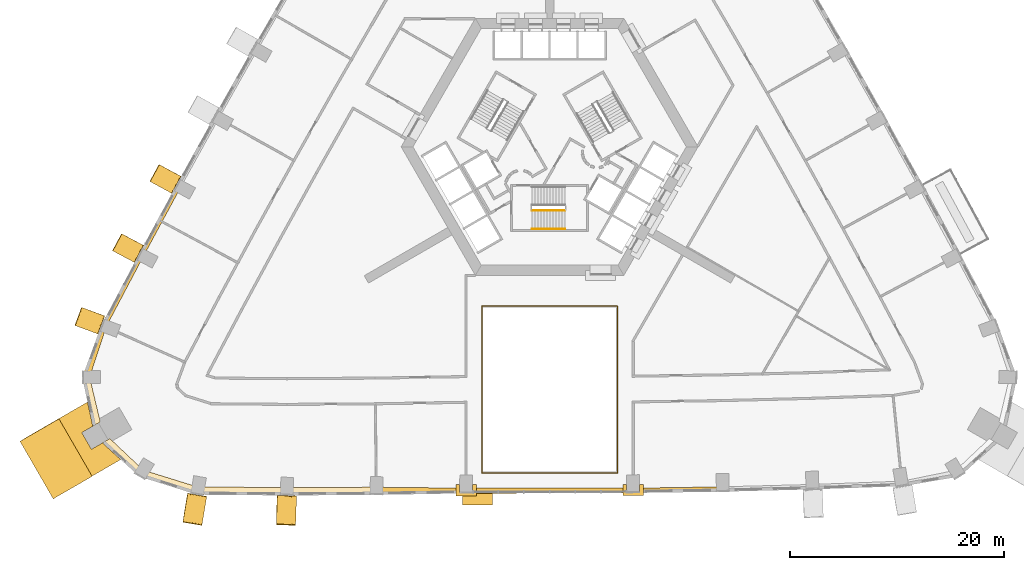
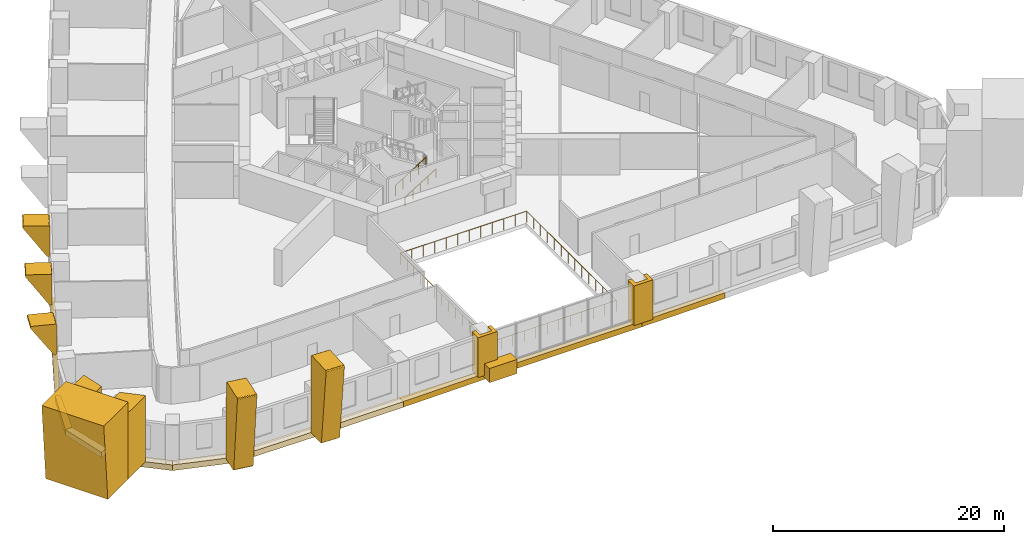
# One storey, part 14 of 17: 21 coverings, 3 railings.
"""IFC4 building model written with IfcOpenShell, lengths in metres."""

from ifc_helpers import new_model, si_unit, direction, frame, origin, origin_2d, place, context, subcontext, project, spatial, polyline, circle, outline, extrude, material, type_object, element, save


model = new_model("IFC4")

# Units and contexts
model_context = context("Model", 3, precision=1e-05, world=origin(), true_north=direction((0.0, 1.0)))
body_context = subcontext(model_context, "Body", "Model", "MODEL_VIEW")
ifc_project = project(units=[si_unit("LENGTHUNIT", "METRE"), si_unit("AREAUNIT", "SQUARE_METRE"), si_unit("VOLUMEUNIT", "CUBIC_METRE"), si_unit("PLANEANGLEUNIT", "RADIAN"), si_unit("MASSUNIT", "GRAM", prefix="KILO")], contexts=[model_context])

# Site, building, storey
site_placement = place(None, origin())
site = spatial("IfcSite", under=ifc_project, at=site_placement, CompositionType="ELEMENT")
building_placement = place(site_placement, origin())
building = spatial("IfcBuilding", under=site, at=building_placement, Name="Entoto Arch Interchange Tower", CompositionType="ELEMENT")
storey_placement = place(building_placement, frame((0.0, 0.0, 72.800048828125)))
storey = spatial("IfcBuildingStorey", under=building, at=storey_placement, Name="L15", CompositionType="ELEMENT", Elevation=72.800048828125)

# Railing
ifc_material_1 = material(Name="Stainless steel 1.4301", Category="steel")
railing_type_1 = type_object("IfcRailingType", Name="ATRIUM GUARD 1200 STEEL AND GLASS", PredefinedType="GUARDRAIL", material=ifc_material_1)
railing_1_placement = place(storey_placement, frame((6.320068359375, -27.931884765625, 0.0)))
element("IfcRailing", 1, at=railing_1_placement, inside=storey, type_object=railing_type_1, Name="Atrium guard L15", PredefinedType="GUARDRAIL", context=body_context, shape_type="SweptSolid", body=[
    extrude(circle(Radius=0.02392578125, at=origin_2d()), frame((0.0, 0.0, 1.17578125), z_axis=(-1.0, 0.0, 0.0), x_axis=(0.0, -1.0, 0.0)), (0.0, 0.0, 1.0), 12.64013671875),
    extrude(circle(Radius=0.02392578125, at=origin_2d()), frame((-12.64013671875, 0.0, 1.17578125), z_axis=(0.0, 1.0, 0.0), x_axis=(-1.0, 0.0, 0.0)), (0.0, 0.0, 1.0), 15.552001953125),
    extrude(circle(Radius=0.02392578125, at=origin_2d()), frame((-12.64013671875, 15.552001953125, 1.17578125), z_axis=(1.0, 0.0, 0.0), x_axis=(0.0, 1.0, 0.0)), (0.0, 0.0, 1.0), 12.64013671875),
    extrude(circle(Radius=0.02392578125, at=origin_2d()), frame((0.0, 15.552001953125, 1.17578125), z_axis=(0.0, -1.0, 0.0), x_axis=(1.0, 0.0, 0.0)), (0.0, 0.0, 1.0), 15.552001953125),
    extrude(circle(Radius=0.02099609375, at=origin_2d()), origin(), (0.0, 0.0, 1.0), 1.15185546875),
    extrude(circle(Radius=0.02099609375, at=origin_2d()), frame((-1.149169921875, 0.0, 0.0)), (0.0, 0.0, 1.0), 1.15185546875),
    extrude(circle(Radius=0.02099609375, at=origin_2d()), frame((-2.298095703125, 0.0, 0.0)), (0.0, 0.0, 1.0), 1.15185546875),
    extrude(circle(Radius=0.02099609375, at=origin_2d()), frame((-3.447265625, 0.0, 0.0)), (0.0, 0.0, 1.0), 1.15185546875),
    extrude(circle(Radius=0.02099609375, at=origin_2d()), frame((-4.596435546875, 0.0, 0.0)), (0.0, 0.0, 1.0), 1.15185546875),
    extrude(circle(Radius=0.02099609375, at=origin_2d()), frame((-5.74560546875, 0.0, 0.0)), (0.0, 0.0, 1.0), 1.15185546875),
    extrude(circle(Radius=0.02099609375, at=origin_2d()), frame((-6.89453125, 0.0, 0.0)), (0.0, 0.0, 1.0), 1.15185546875),
    extrude(circle(Radius=0.02099609375, at=origin_2d()), frame((-8.043701171875, 0.0, 0.0)), (0.0, 0.0, 1.0), 1.15185546875),
    extrude(circle(Radius=0.02099609375, at=origin_2d()), frame((-9.19287109375, 0.0, 0.0)), (0.0, 0.0, 1.0), 1.15185546875),
    extrude(circle(Radius=0.02099609375, at=origin_2d()), frame((-10.342041015625, 0.0, 0.0)), (0.0, 0.0, 1.0), 1.15185546875),
    extrude(circle(Radius=0.02099609375, at=origin_2d()), frame((-11.490966796875, 0.0, 0.0)), (0.0, 0.0, 1.0), 1.15185546875),
    extrude(circle(Radius=0.02099609375, at=origin_2d()), frame((-12.64013671875, 0.0, 0.0)), (0.0, 0.0, 1.0), 1.15185546875),
    extrude(circle(Radius=0.02099609375, at=origin_2d()), frame((-12.64013671875, 1.1962890625, 0.0)), (0.0, 0.0, 1.0), 1.15185546875),
    extrude(circle(Radius=0.02099609375, at=origin_2d()), frame((-12.64013671875, 2.392578125, 0.0)), (0.0, 0.0, 1.0), 1.15185546875),
    extrude(circle(Radius=0.02099609375, at=origin_2d()), frame((-12.64013671875, 3.5888671875, 0.0)), (0.0, 0.0, 1.0), 1.15185546875),
    extrude(circle(Radius=0.02099609375, at=origin_2d()), frame((-12.64013671875, 4.78515625, 0.0)), (0.0, 0.0, 1.0), 1.15185546875),
    extrude(circle(Radius=0.02099609375, at=origin_2d()), frame((-12.64013671875, 5.9814453125, 0.0)), (0.0, 0.0, 1.0), 1.15185546875),
    extrude(circle(Radius=0.02099609375, at=origin_2d()), frame((-12.64013671875, 7.177734375, 0.0)), (0.0, 0.0, 1.0), 1.15185546875),
    extrude(circle(Radius=0.02099609375, at=origin_2d()), frame((-12.64013671875, 8.374267578125, 0.0)), (0.0, 0.0, 1.0), 1.15185546875),
    extrude(circle(Radius=0.02099609375, at=origin_2d()), frame((-12.64013671875, 9.570556640625, 0.0)), (0.0, 0.0, 1.0), 1.15185546875),
    extrude(circle(Radius=0.02099609375, at=origin_2d()), frame((-12.64013671875, 10.766845703125, 0.0)), (0.0, 0.0, 1.0), 1.15185546875),
    extrude(circle(Radius=0.02099609375, at=origin_2d()), frame((-12.64013671875, 11.963134765625, 0.0)), (0.0, 0.0, 1.0), 1.15185546875),
    extrude(circle(Radius=0.02099609375, at=origin_2d()), frame((-12.64013671875, 13.159423828125, 0.0)), (0.0, 0.0, 1.0), 1.15185546875),
    extrude(circle(Radius=0.02099609375, at=origin_2d()), frame((-12.64013671875, 14.355712890625, 0.0)), (0.0, 0.0, 1.0), 1.15185546875),
    extrude(circle(Radius=0.02099609375, at=origin_2d()), frame((-12.64013671875, 15.552001953125, 0.0)), (0.0, 0.0, 1.0), 1.15185546875),
    extrude(circle(Radius=0.02099609375, at=origin_2d()), frame((-11.490966796875, 15.552001953125, 0.0)), (0.0, 0.0, 1.0), 1.15185546875),
    extrude(circle(Radius=0.02099609375, at=origin_2d()), frame((-10.342041015625, 15.552001953125, 0.0)), (0.0, 0.0, 1.0), 1.15185546875),
    extrude(circle(Radius=0.02099609375, at=origin_2d()), frame((-9.19287109375, 15.552001953125, 0.0)), (0.0, 0.0, 1.0), 1.15185546875),
    extrude(circle(Radius=0.02099609375, at=origin_2d()), frame((-8.043701171875, 15.552001953125, 0.0)), (0.0, 0.0, 1.0), 1.15185546875),
    extrude(circle(Radius=0.02099609375, at=origin_2d()), frame((-6.89453125, 15.552001953125, 0.0)), (0.0, 0.0, 1.0), 1.15185546875),
    extrude(circle(Radius=0.02099609375, at=origin_2d()), frame((-5.74560546875, 15.552001953125, 0.0)), (0.0, 0.0, 1.0), 1.15185546875),
    extrude(circle(Radius=0.02099609375, at=origin_2d()), frame((-4.596435546875, 15.552001953125, 0.0)), (0.0, 0.0, 1.0), 1.15185546875),
    extrude(circle(Radius=0.02099609375, at=origin_2d()), frame((-3.447265625, 15.552001953125, 0.0)), (0.0, 0.0, 1.0), 1.15185546875),
    extrude(circle(Radius=0.02099609375, at=origin_2d()), frame((-2.298095703125, 15.552001953125, 0.0)), (0.0, 0.0, 1.0), 1.15185546875),
    extrude(circle(Radius=0.02099609375, at=origin_2d()), frame((-1.149169921875, 15.552001953125, 0.0)), (0.0, 0.0, 1.0), 1.15185546875),
    extrude(circle(Radius=0.02099609375, at=origin_2d()), frame((0.0, 15.552001953125, 0.0)), (0.0, 0.0, 1.0), 1.15185546875),
    extrude(circle(Radius=0.02099609375, at=origin_2d()), frame((0.0, 14.355712890625, 0.0)), (0.0, 0.0, 1.0), 1.15185546875),
    extrude(circle(Radius=0.02099609375, at=origin_2d()), frame((0.0, 13.159423828125, 0.0)), (0.0, 0.0, 1.0), 1.15185546875),
    extrude(circle(Radius=0.02099609375, at=origin_2d()), frame((0.0, 11.963134765625, 0.0)), (0.0, 0.0, 1.0), 1.15185546875),
    extrude(circle(Radius=0.02099609375, at=origin_2d()), frame((0.0, 10.766845703125, 0.0)), (0.0, 0.0, 1.0), 1.15185546875),
    extrude(circle(Radius=0.02099609375, at=origin_2d()), frame((0.0, 9.570556640625, 0.0)), (0.0, 0.0, 1.0), 1.15185546875),
    extrude(circle(Radius=0.02099609375, at=origin_2d()), frame((0.0, 8.374267578125, 0.0)), (0.0, 0.0, 1.0), 1.15185546875),
    extrude(circle(Radius=0.02099609375, at=origin_2d()), frame((0.0, 7.177734375, 0.0)), (0.0, 0.0, 1.0), 1.15185546875),
    extrude(circle(Radius=0.02099609375, at=origin_2d()), frame((0.0, 5.9814453125, 0.0)), (0.0, 0.0, 1.0), 1.15185546875),
    extrude(circle(Radius=0.02099609375, at=origin_2d()), frame((0.0, 4.78515625, 0.0)), (0.0, 0.0, 1.0), 1.15185546875),
    extrude(circle(Radius=0.02099609375, at=origin_2d()), frame((0.0, 3.5888671875, 0.0)), (0.0, 0.0, 1.0), 1.15185546875),
    extrude(circle(Radius=0.02099609375, at=origin_2d()), frame((0.0, 2.392578125, 0.0)), (0.0, 0.0, 1.0), 1.15185546875),
    extrude(circle(Radius=0.02099609375, at=origin_2d()), frame((0.0, 1.1962890625, 0.0)), (0.0, 0.0, 1.0), 1.15185546875),
])

# Coverings
ifc_material_2 = material(Name="Board-marked precast concrete C50/60", Category="concrete")
covering_type_1 = type_object("IfcCoveringType", Name="PRECAST FRAME COURSE", PredefinedType="CLADDING", material=ifc_material_2)
covering_1_placement = place(storey_placement, frame((0.0, 0.0, -0.400146484375)))
element("IfcCovering", 2, at=covering_1_placement, inside=storey, type_object=covering_type_1, Name="Corner pilaster SW L15-L16", PredefinedType="CLADDING", context=body_context, shape_type="SweptSolid", body=[
    extrude(outline(polyline([(-42.7109375, -28.239013671875), (-45.81103515625, -22.868896484375), (-43.132080078125, -21.322998046875), (-42.64208984375, -23.580078125), (-43.6708984375, -24.175048828125), (-42.77099609375, -25.73291015625), (-41.741943359375, -25.138916015625), (-40.031005859375, -26.69189453125), (-42.7109375, -28.239013671875)])), origin(), (0.0, 0.0, 1.0), 7.0),
])
covering_2_placement = place(storey_placement, frame((-45.81103515625, -22.868896484375, -0.400146484375), z_axis=(-0.500064315457, 0.865982925779, 0.003041819548), x_axis=(-0.865986931105, -0.500066630715, 6.749e-07)))
element("IfcCovering", 3, at=covering_2_placement, inside=storey, type_object=covering_type_1, Name="Corner rib SW L15-L16", PredefinedType="CLADDING", context=body_context, shape_type="SweptSolid", body=[
    extrude(outline(polyline([(0.0, 0.0), (3.4542669690355945, 8.673617379884035e-19), (4.2003847108791525, 8.200230414747715), (-8.998423250624878e-05, 8.20023558095585), (0.0, 0.0)])), origin(), (0.0, 0.0, -1.0), 6.199951171875),
])
covering_3_placement = place(storey_placement, frame((-33.822998046875, -29.967041015625, -0.400146484375), z_axis=(-0.986017295839, 0.166616616376, 0.002965713095), x_axis=(0.16596463094, 0.98024365443, 0.107601669256)))
element("IfcCovering", 4, at=covering_3_placement, inside=storey, type_object=covering_type_1, Name="Fold rib S01 L15-L16", PredefinedType="CLADDING", context=body_context, shape_type="SweptSolid", body=[
    extrude(outline(polyline([(0.0, 0.0), (0.02946856705872473, 0.0), (0.058681587304177704, -0.004697474440679215), (0.08542598236948351, -0.016047686520283943), (0.11049760686181372, -0.03248619339203701), (0.13132476053195433, -0.05331770746523266), (0.14807460972412528, -0.07753361193537348), (0.15915519836776604, -0.10457323096423116), (0.165315203499198, -0.13313021673370315), (1.0153780831972823, -7.987199437447457), (1.0139616648822212, -8.031554651425973), (1.0059057561135025, -8.059686164376735), (0.9914810920168481, -8.085312507788442), (0.9625513542163876, -8.118649653848959), (0.9251345991372558, -8.141851972059033), (0.8824964605275015, -8.152606384225749), (-1.5657070592915134, -8.417574941658048), (-1.6097637745955566, -8.415222361201941), (-1.6512786401248554, -8.400560034057198), (-1.6763667409882297, -8.385103417313477), (-1.6970318198234677, -8.364257234192817), (-1.720493063567304, -8.326524596203072), (-1.7285818558562365, -8.298422182028), (-1.7318130583265605, -8.26856736549824), (-1.7390194457362096, -0.3230300763934709), (-1.736000561155378, -0.2934809096370301), (-1.7210245076384905, -0.25281431397545473), (-1.695375535519352, -0.21787002011946482), (-1.6605225013307199, -0.19076794501031696), (-1.619261950935275, -0.17623407059734067), (0.0, 0.0)])), origin(), (0.0, 0.0, -1.0), 1.800048828125),
])
covering_4_placement = place(storey_placement, frame((-25.445068359375, -30.162109375, -0.400146484375), z_axis=(-0.999425603968, 0.03375207, 0.003043009138), x_axis=(0.033884960991, 0.993889897215, 0.105046092892)))
element("IfcCovering", 5, at=covering_4_placement, inside=storey, type_object=covering_type_1, Name="Fold rib S02 L15-L16", PredefinedType="CLADDING", context=body_context, shape_type="SweptSolid", body=[
    extrude(outline(polyline([(0.0, 0.0), (0.030212303810803136, 0.0), (0.058970690772785245, -0.004818237843212466), (0.08646295571290828, -0.016154107519285442), (0.11033483702124235, -0.03278203916189386), (0.13146261892100117, -0.05362812472199807), (0.14825473315075316, -0.07787565688444474), (0.1592445298144917, -0.10494919039801633), (0.1652081928566686, -0.13353317347954105), (0.9949021968591598, -7.989781533114448), (0.9934522577210283, -8.034124918706455), (0.985346674491629, -8.062229519040093), (0.9708745612832212, -8.087818768340997), (0.942208924819981, -8.121043289316564), (0.9045913619077651, -8.144163832447337), (0.8622505661732011, -8.154775253677954), (-1.5983528653773673, -8.414692810083933), (-1.6427369995348364, -8.413242272357163), (-1.6709690459087567, -8.404194127230337), (-1.6964412754151017, -8.390684403324299), (-1.7298154842983684, -8.361064685361935), (-1.7529480456306732, -8.323248535239458), (-1.7608603446417939, -8.295113101489763), (-1.7639122208757227, -8.266221240867965), (-1.7875714584276345, -0.32458732191255246), (-1.7847741150262946, -0.2953224949549357), (-1.7700203570691564, -0.25350342791533975), (-1.7435341707438123, -0.21854235756911478), (-1.7092643769589773, -0.19160228331835572), (-1.6673339175247732, -0.17710624217220378), (0.0, 0.0)])), origin(), (0.0, 0.0, -1.0), 1.800048828125),
])
covering_5_placement = place(storey_placement, frame((-34.64111328125, -0.1259765625, 4.596923828125), z_axis=(0.478084182793, 0.878309533425, 0.002806716545), x_axis=(0.597536888093, -0.322907743702, -0.733948401746)))
element("IfcCovering", 6, at=covering_5_placement, inside=storey, type_object=covering_type_1, Name="Fold rib NW08 L15-L16", PredefinedType="CLADDING", context=body_context, shape_type="SweptSolid", body=[
    extrude(outline(polyline([(0.0, 0.0), (0.04357652076310624, -3.469446951953614e-18), (0.0722948687189037, -0.007669880387644289), (0.09901223979547072, -0.020005851700767442), (0.13253493295170665, -0.04760134628353657), (0.15687607476083837, -0.0843296130225779), (0.16950556805165762, -0.12565692128665687), (0.17066670897350278, -0.16968649117418078), (0.15732470313625185, -0.2113420275928248), (0.13445668089602153, -0.24845855303923128), (-2.054802755586746, -2.2745321342299696), (-2.0915035589444004, -2.2995750153182875), (-2.132718589562193, -2.312548877262704), (-2.16269083527694, -2.3139499675613497), (-2.2058305564903327, -2.3057941734837715), (-2.244670207378934, -2.2857484657725022), (-2.267102706802674, -2.26618168531407), (-3.6566144054435177, -0.7646642901767624), (-3.6809555472526494, -0.7279360234377212), (-3.6939893860392266, -0.6858142547973465), (-3.696239554877357, -0.6567830294253449), (-3.6925247157463343, -0.6270099271291998), (-3.681933328274904, -0.5989169720263012), (-3.666988289588339, -0.5737256558309887), (-3.6465766219987072, -0.5515710310817905), (-3.6233097875870275, -0.5339414768411803), (-3.5969528974216805, -0.5214443105688678), (-3.5676160332832034, -0.5146843912700203), (0.0, 0.0)])), origin(), (0.0, 0.0, -1.0), 1.800048828125),
])
covering_6_placement = place(storey_placement, frame((-38.139892578125, -6.569091796875, 4.597900390625), z_axis=(0.469182979974, 0.883096047564, 0.002949928697), x_axis=(0.598482106004, -0.31550963852, -0.736391768554)))
element("IfcCovering", 7, at=covering_6_placement, inside=storey, type_object=covering_type_1, Name="Fold rib NW09 L15-L16", PredefinedType="CLADDING", context=body_context, shape_type="SweptSolid", body=[
    extrude(outline(polyline([(0.0, 0.0), (0.04343029158023182, 0.0), (0.08503626246178492, -0.012811012124700663), (0.12151747862533785, -0.03772307259675556), (0.14108806311702027, -0.059021617176326716), (0.15603384243834334, -0.08431300195042324), (0.16878493819769252, -0.1259762268533769), (0.16906601963959408, -0.17066944809900275), (0.15629403492946972, -0.21161783459632189), (0.132260469863429, -0.24896880404535274), (-2.062525622232638, -2.2661738946941106), (-2.099394693078494, -2.2909979548556807), (-2.1405765409670794, -2.303909943020732), (-2.1704080712853386, -2.305360110031937), (-2.213285215533405, -2.297303606461215), (-2.2527776394477077, -2.276329161812536), (-2.2746854048454463, -2.2571778672700473), (-3.6533505469690044, -0.756560947376097), (-3.6772469428691776, -0.7200867713197496), (-3.690710825544918, -0.6772850902381242), (-3.6928544963341423, -0.6482469208644055), (-3.68837142498132, -0.6192049467664535), (-3.6776805728368362, -0.5911479632558523), (-3.6630597257496005, -0.5655647712176515), (-3.643219585266852, -0.5442169551798366), (-3.6189677490859857, -0.5262270401398188), (-3.5924182555973054, -0.5139855969094067), (-3.563788050043945, -0.5065391509797346), (0.0, 0.0)])), origin(), (0.0, 0.0, -1.0), 1.800048828125),
])
covering_7_placement = place(storey_placement, frame((-41.777099609375, -13.18603515625, 4.60205078125), z_axis=(0.348231434465, 0.937403628939, 0.00305032811), x_axis=(0.626963571007, -0.230486042945, -0.744172604063)))
element("IfcCovering", 8, at=covering_7_placement, inside=storey, type_object=covering_type_1, Name="Fold rib NW10 L15-L16", PredefinedType="CLADDING", context=body_context, shape_type="SweptSolid", body=[
    extrude(outline(polyline([(0.0, 0.0), (0.044618704242944285, 0.0), (0.0860662212027862, -0.01328536228639203), (0.12188196654031427, -0.038198342932209355), (0.14961973980301121, -0.07239207697986444), (0.16153938627284253, -0.09882598996456692), (0.16808440641736921, -0.12731644242455897), (0.1686609810606007, -0.17145367471733602), (0.1555208816694894, -0.21346639976439444), (0.13122245662744464, -0.24925684908798196), (-2.0854254178940037, -2.2394896231214467), (-2.122405165538064, -2.2640808936837584), (-2.1642081616264948, -2.2759902702463743), (-2.193479842883037, -2.277732044529086), (-2.236341260564915, -2.269090045826929), (-2.2753472051031425, -2.247928038372726), (-2.2976189292924376, -2.2278690562730854), (-3.6480127247046603, -0.7234440443284913), (-3.6718917586477673, -0.6862436253959134), (-3.684824111433944, -0.644788111585129), (-3.68622958302768, -0.6147158162984199), (-3.681497971805503, -0.5856281949503059), (-3.671477584620831, -0.5580495641793446), (-3.6556400788879237, -0.5321997890335337), (-3.635469452143866, -0.5111770858312821), (-3.6117873117856236, -0.4940670278280199), (-3.584566002293206, -0.48126656917208455), (-3.555887960604484, -0.4741089138680592), (0.0, 0.0)])), origin(), (0.0, 0.0, -1.0), 1.800048828125),
])
covering_8_placement = place(storey_placement, frame((0.0, 0.0, -0.400146484375)))
element("IfcCovering", 9, at=covering_8_placement, inside=storey, type_object=covering_type_1, Name="Gate pier L15", PredefinedType="CLADDING", context=body_context, shape_type="SweptSolid", body=[
    extrude(outline(polyline([(-8.742919921875, -29.0009765625), (-8.39306640625, -29.0009765625), (-8.39306640625, -29.74609375), (-7.193115234375, -29.74609375), (-7.193115234375, -29.0009765625), (-6.843017578125, -29.0009765625), (-6.843017578125, -30.095947265625), (-8.742919921875, -30.095947265625), (-8.742919921875, -29.0009765625)])), origin(), (0.0, 0.0, 1.0), 4.2001953125),
])
covering_9_placement = place(storey_placement, frame((0.0, 0.0, -0.400146484375)))
element("IfcCovering", 10, at=covering_9_placement, inside=storey, type_object=covering_type_1, Name="Gate pier L15", PredefinedType="CLADDING", context=body_context, shape_type="SweptSolid", body=[
    extrude(outline(polyline([(6.843017578125, -29.0009765625), (7.193115234375, -29.0009765625), (7.193115234375, -29.7119140625), (8.39306640625, -29.7119140625), (8.39306640625, -29.0009765625), (8.742919921875, -29.0009765625), (8.742919921875, -30.06201171875), (6.843017578125, -30.06201171875), (6.843017578125, -29.0009765625)])), origin(), (0.0, 0.0, 1.0), 4.2001953125),
])
covering_10_placement = place(storey_placement, frame((0.0, 0.0, -0.650146484375)))
element("IfcCovering", 11, at=covering_10_placement, inside=storey, type_object=covering_type_1, Name="Fold crease ribbon L15", PredefinedType="CLADDING", context=body_context, shape_type="SweptSolid", body=[
    extrude(outline(polyline([(-7.0869140625, -30.944091796875), (-7.10107421875, -30.946044921875), (-7.208984375, -30.950927734375), (-7.794921875, -30.946044921875), (-8.113037109375, -30.950927734375), (-8.113037109375, -29.85107421875), (-7.800048828125, -29.845947265625), (-7.199951171875, -29.85107421875), (-7.199951171875, -29.844970703125), (-5.343017578125, -29.841064453125), (-5.343017578125, -30.94091796875), (-7.0869140625, -30.944091796875)])), origin(), (0.0, 0.0, 1.0), 1.5),
])
covering_type_2 = type_object("IfcCoveringType", Name="PRECAST LEDGE COURSE", PredefinedType="CLADDING", material=ifc_material_2)
covering_11_placement = place(storey_placement, frame((0.0, 0.0, -1.0)))
element("IfcCovering", 12, at=covering_11_placement, inside=storey, type_object=covering_type_2, Name="Precast course S-01 L15", PredefinedType="CLADDING", context=body_context, shape_type="SweptSolid", body=[
    extrude(outline(polyline([(-24.5400390625, -29.31494140625), (-24.5400390625, -30.0419921875), (-32.910888671875, -29.968994140625), (-32.910888671875, -29.23291015625), (-24.5400390625, -29.31494140625)])), origin(), (0.0, 0.0, 1.0), 0.599853515625),
])
covering_12_placement = place(storey_placement, frame((0.0, 0.0, -1.0)))
element("IfcCovering", 13, at=covering_12_placement, inside=storey, type_object=covering_type_2, Name="Precast course S-02 L15", PredefinedType="CLADDING", context=body_context, shape_type="SweptSolid", body=[
    extrude(outline(polyline([(-16.169921875, -29.26806640625), (-16.169921875, -29.987060546875), (-24.5400390625, -30.0419921875), (-24.5400390625, -29.31494140625), (-16.169921875, -29.26806640625)])), origin(), (0.0, 0.0, 1.0), 0.599853515625),
])
covering_13_placement = place(storey_placement, frame((0.0, 0.0, -1.0)))
element("IfcCovering", 14, at=covering_13_placement, inside=storey, type_object=covering_type_2, Name="Precast course S-03 L15", PredefinedType="CLADDING", context=body_context, shape_type="SweptSolid", body=[
    extrude(outline(polyline([(-7.800048828125, -29.361083984375), (-7.800048828125, -29.845947265625), (-16.169921875, -29.987060546875), (-16.169921875, -29.26806640625), (-7.800048828125, -29.361083984375)])), origin(), (0.0, 0.0, 1.0), 0.599853515625),
])
covering_14_placement = place(storey_placement, frame((0.0, 0.0, -1.0)))
element("IfcCovering", 15, at=covering_14_placement, inside=storey, type_object=covering_type_2, Name="Precast course S-04 L15", PredefinedType="CLADDING", context=body_context, shape_type="SweptSolid", body=[
    extrude(outline(polyline([(7.800048828125, -29.361083984375), (7.800048828125, -29.81201171875), (-7.800048828125, -29.845947265625), (-7.800048828125, -29.361083984375), (7.800048828125, -29.361083984375)])), origin(), (0.0, 0.0, 1.0), 0.599853515625),
])
covering_15_placement = place(storey_placement, frame((0.0, 0.0, -1.0)))
element("IfcCovering", 16, at=covering_15_placement, inside=storey, type_object=covering_type_2, Name="Precast course S-05 L15", PredefinedType="CLADDING", context=body_context, shape_type="SweptSolid", body=[
    extrude(outline(polyline([(16.169921875, -29.23193359375), (16.169921875, -29.68701171875), (7.800048828125, -29.81201171875), (7.800048828125, -29.361083984375), (16.169921875, -29.23193359375)])), origin(), (0.0, 0.0, 1.0), 0.599853515625),
])
covering_16_placement = place(storey_placement, frame((0.0, 0.0, -1.0)))
element("IfcCovering", 17, at=covering_16_placement, inside=storey, type_object=covering_type_2, Name="Precast course NW-08 L15", PredefinedType="CLADDING", context=body_context, shape_type="SweptSolid", body=[
    extrude(outline(polyline([(-37.912109375, -7.7099609375), (-38.321044921875, -7.491943359375), (-34.8310546875, -1.047119140625), (-34.429931640625, -1.264892578125), (-37.912109375, -7.7099609375)])), origin(), (0.0, 0.0, 1.0), 0.599853515625),
])
covering_17_placement = place(storey_placement, frame((0.0, 0.0, -1.0)))
element("IfcCovering", 18, at=covering_17_placement, inside=storey, type_object=covering_type_2, Name="Precast course NW-09 L15", PredefinedType="CLADDING", context=body_context, shape_type="SweptSolid", body=[
    extrude(outline(polyline([(-41.387939453125, -14.291015625), (-41.833984375, -14.125), (-38.321044921875, -7.491943359375), (-37.912109375, -7.7099609375), (-41.387939453125, -14.291015625)])), origin(), (0.0, 0.0, 1.0), 0.599853515625),
])
covering_18_placement = place(storey_placement, frame((0.0, 0.0, -1.0)))
element("IfcCovering", 19, at=covering_18_placement, inside=storey, type_object=covering_type_2, Name="Precast course SW-01 L15", PredefinedType="CLADDING", context=body_context, shape_type="SweptSolid", body=[
    extrude(outline(polyline([(-42.93505859375, -19.001953125), (-43.631103515625, -19.01806640625), (-41.833984375, -14.125), (-41.387939453125, -14.291015625), (-42.93505859375, -19.001953125)])), origin(), (0.0, 0.0, 1.0), 0.599853515625),
])
covering_19_placement = place(storey_placement, frame((0.0, 0.0, -1.0)))
element("IfcCovering", 20, at=covering_19_placement, inside=storey, type_object=covering_type_2, Name="Precast course SW-02 L15", PredefinedType="CLADDING", context=body_context, shape_type="SweptSolid", body=[
    extrude(outline(polyline([(-41.944091796875, -23.177001953125), (-42.64208984375, -23.580078125), (-43.631103515625, -19.01806640625), (-42.93505859375, -19.001953125), (-41.944091796875, -23.177001953125)])), origin(), (0.0, 0.0, 1.0), 0.599853515625),
])
covering_20_placement = place(storey_placement, frame((0.0, 0.0, -1.0)))
element("IfcCovering", 21, at=covering_20_placement, inside=storey, type_object=covering_type_2, Name="Precast course SW-03 L15", PredefinedType="CLADDING", context=body_context, shape_type="SweptSolid", body=[
    extrude(outline(polyline([(-37.924072265625, -27.681884765625), (-38.284912109375, -28.277099609375), (-41.741943359375, -25.138916015625), (-41.0439453125, -24.736083984375), (-37.924072265625, -27.681884765625)])), origin(), (0.0, 0.0, 1.0), 0.599853515625),
])
covering_21_placement = place(storey_placement, frame((0.0, 0.0, -1.0)))
element("IfcCovering", 22, at=covering_21_placement, inside=storey, type_object=covering_type_2, Name="Precast course SW-04 L15", PredefinedType="CLADDING", context=body_context, shape_type="SweptSolid", body=[
    extrude(outline(polyline([(-32.910888671875, -29.23291015625), (-32.910888671875, -29.968994140625), (-38.284912109375, -28.277099609375), (-37.924072265625, -27.681884765625), (-32.910888671875, -29.23291015625)])), origin(), (0.0, 0.0, 1.0), 0.599853515625),
])

# Railings
railing_type_2 = type_object("IfcRailingType", Name="STAIR GUARD 1100 STEEL", PredefinedType="GUARDRAIL", material=ifc_material_1)
railing_2_placement = place(storey_placement, frame((-1.64990234375, -3.449951171875, 0.175048828125)))
element("IfcRailing", 23, at=railing_2_placement, inside=storey, type_object=railing_type_2, Name="L15 ST-S stair guard 1", PredefinedType="GUARDRAIL", context=body_context, shape_type="SweptSolid", body=[
    extrude(circle(Radius=0.02392578125, at=origin_2d()), frame((0.0, 0.0, 1.076171875), z_axis=(0.848009633417, 0.0, 0.529980812513), x_axis=(0.0, 1.0, 0.0)), (0.0, 0.0, 1.0), 3.6318359375),
    extrude(circle(Radius=0.02099609375, at=origin_2d()), origin(), (0.0, 0.0, 1.0), 1.052001953125),
    extrude(circle(Radius=0.02099609375, at=origin_2d()), frame((0.77001953125, 0.0, 0.481201171875)), (0.0, 0.0, 1.0), 1.052001953125),
    extrude(circle(Radius=0.02099609375, at=origin_2d()), frame((1.5400390625, 0.0, 0.96240234375)), (0.0, 0.0, 1.0), 1.052001953125),
    extrude(circle(Radius=0.02099609375, at=origin_2d()), frame((2.309814453125, 0.0, 1.443603515625)), (0.0, 0.0, 1.0), 1.052001953125),
    extrude(circle(Radius=0.02099609375, at=origin_2d()), frame((3.079833984375, 0.0, 1.9248046875)), (0.0, 0.0, 1.0), 1.052001953125),
])
railing_type_3 = type_object("IfcRailingType", Name="STAIR HANDRAIL 900 STEEL", PredefinedType="HANDRAIL", material=ifc_material_1)
railing_3_placement = place(storey_placement, frame((-1.64990234375, -5.14990234375, 0.175048828125)))
element("IfcRailing", 24, at=railing_3_placement, inside=storey, type_object=railing_type_3, Name="L15 ST-S stair handrail 1", PredefinedType="HANDRAIL", context=body_context, shape_type="SweptSolid", body=[
    extrude(circle(Radius=0.02392578125, at=origin_2d()), frame((0.0, 0.0, 0.8759765625), z_axis=(0.848009633417, 0.0, 0.529980812513), x_axis=(0.0, 1.0, 0.0)), (0.0, 0.0, 1.0), 3.6318359375),
    extrude(circle(Radius=0.02099609375, at=origin_2d()), origin(), (0.0, 0.0, 1.0), 0.851806640625),
    extrude(circle(Radius=0.02099609375, at=origin_2d()), frame((0.77001953125, 0.0, 0.481201171875)), (0.0, 0.0, 1.0), 0.851806640625),
    extrude(circle(Radius=0.02099609375, at=origin_2d()), frame((1.5400390625, 0.0, 0.96240234375)), (0.0, 0.0, 1.0), 0.851806640625),
    extrude(circle(Radius=0.02099609375, at=origin_2d()), frame((2.309814453125, 0.0, 1.443603515625)), (0.0, 0.0, 1.0), 0.851806640625),
    extrude(circle(Radius=0.02099609375, at=origin_2d()), frame((3.079833984375, 0.0, 1.9248046875)), (0.0, 0.0, 1.0), 0.851806640625),
])

save(model, "model.ifc")
